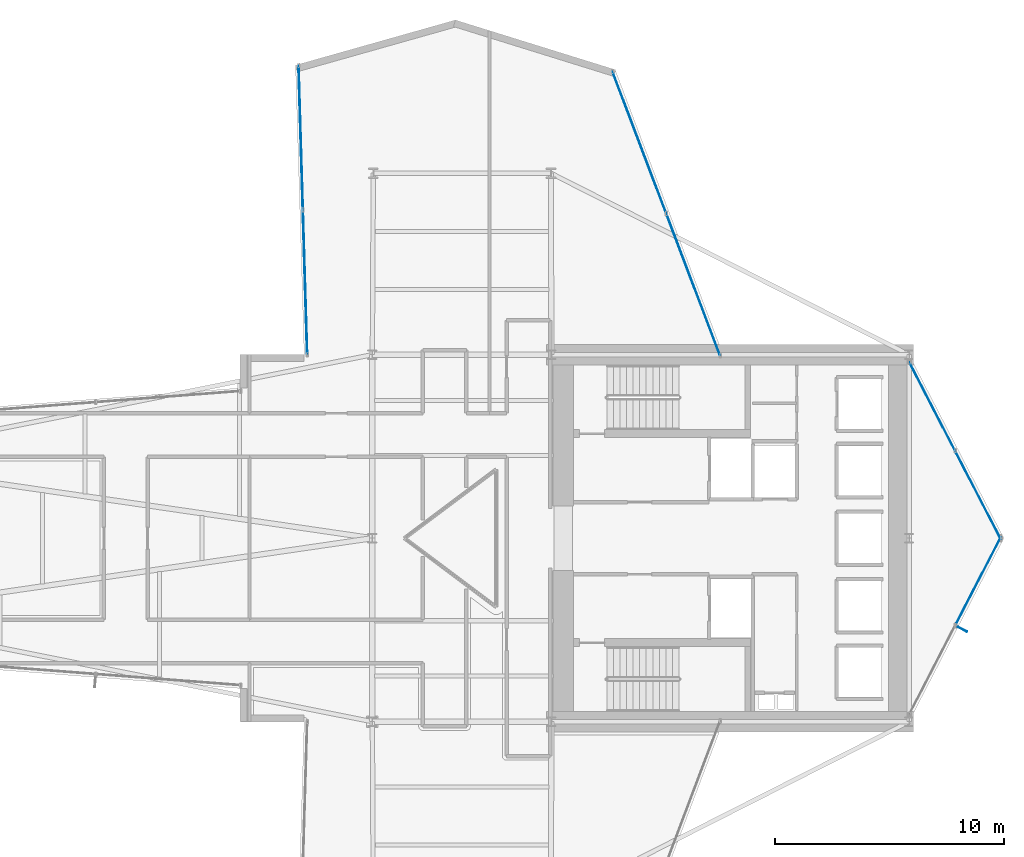
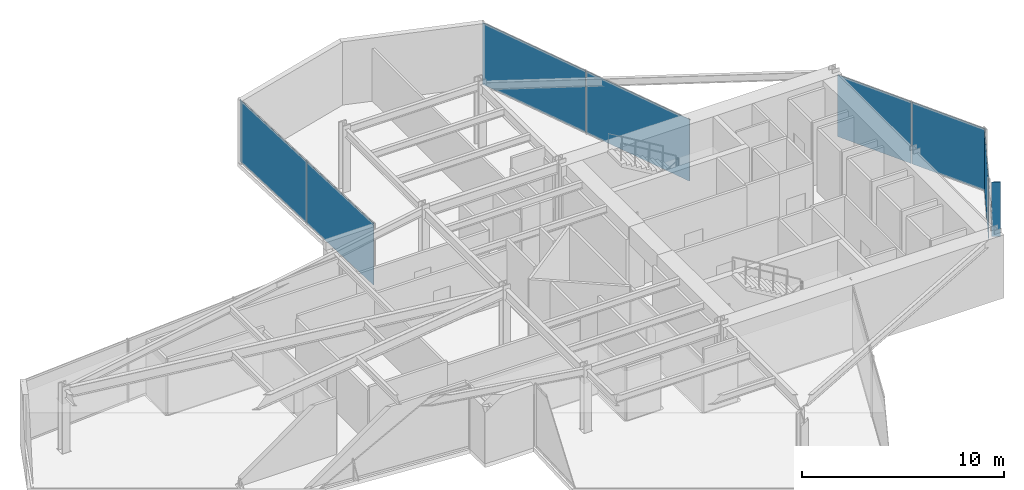
# One storey, part 25 of 30: 8 plates, 4 elements without a shape of their own.
"""IFC4 building model written with IfcOpenShell, lengths in metres."""

from ifc_helpers import new_model, si_unit, direction, frame, origin, origin_2d, place, context, subcontext, project, spatial, rectangle, extrude, material, layer, layer_set, type_object, element, aggregate, save


model = new_model("IFC4")

# Units and contexts
model_context = context("Model", 3, precision=1e-05, world=origin(), true_north=direction((0.0, 1.0)))
body_context = subcontext(model_context, "Body", "Model", "MODEL_VIEW")
ifc_project = project(units=[si_unit("LENGTHUNIT", "METRE"), si_unit("AREAUNIT", "SQUARE_METRE"), si_unit("VOLUMEUNIT", "CUBIC_METRE"), si_unit("PLANEANGLEUNIT", "RADIAN"), si_unit("MASSUNIT", "GRAM", prefix="KILO")], contexts=[model_context])

# Site, building, storey
site_placement = place(None, origin())
site = spatial("IfcSite", under=ifc_project, at=site_placement, CompositionType="ELEMENT")
building_placement = place(site_placement, origin())
building = spatial("IfcBuilding", under=site, at=building_placement, Name="Veymaron Broadcast Tower", CompositionType="ELEMENT")
storey_placement = place(building_placement, frame((0.0, 0.0, 37.800048828125)))
storey = spatial("IfcBuildingStorey", under=building, at=storey_placement, Name="L07", CompositionType="ELEMENT", Elevation=37.800048828125)

# Curtain wall, plate
ifc_material_1 = material(Name="Anodised aluminium AA 6063-T6 and laminated low-E dark glass", Category="aluminium")
ifc_layer_1 = layer(ifc_material_1, 0.179931640625)
ifc_layer_set_1 = layer_set([ifc_layer_1], Name="Anodised aluminium AA 6063-T6 and laminated low-E dark glass")
curtain_wall_type = type_object("IfcCurtainWallType", Name="CW-SYS-02", PredefinedType="NOTDEFINED", material=ifc_layer_set_1)
curtain_wall_1_placement = place(storey_placement, origin())
curtain_wall_1 = element("IfcCurtainWall", 1, at=curtain_wall_1_placement, inside=storey, type_object=curtain_wall_type, Name="L07 dark-glass curtain wall CW-L07-E2-1", PredefinedType="NOTDEFINED")
ifc_material_2 = material(Name="Double-silver solar-control dark glass IGU 32 mm", Category="glass")
ifc_layer_2 = layer(ifc_material_2, 0.031982421875)
ifc_layer_set_2 = layer_set([ifc_layer_2], Name="Double-silver solar-control dark glass IGU 32 mm")
plate_type_1 = type_object("IfcPlateType", Name="CW-PNL-02", PredefinedType="CURTAIN_PANEL", material=ifc_layer_set_2)
plate_1_placement = place(storey_placement, frame((57.611328125, 22.128173828125, 0.0400390625), z_axis=(0.0, 0.0, 1.0), x_axis=(0.459331828221, 0.88826475309, 0.0)))
plate_1 = element("IfcPlate", 2, at=plate_1_placement, type_object=plate_type_1, Name="CW-L07-E2-1 unitised curtain panel 1", PredefinedType="CURTAIN_PANEL", context=body_context, shape_type="SweptSolid", body=[
    extrude(rectangle(XDim=4.299560546875, YDim=0.031982421875, at=origin_2d()), origin(), (0.0, 0.0, 1.0), 3.72998046875),
])
aggregate(curtain_wall_1, [plate_1])

# Curtain wall, plates
curtain_wall_2_placement = place(storey_placement, origin())
curtain_wall_2 = element("IfcCurtainWall", 3, at=curtain_wall_2_placement, inside=storey, type_object=curtain_wall_type, Name="L07 dark-glass curtain wall CW-L07-E3-1", PredefinedType="NOTDEFINED")
plate_2_placement = place(storey_placement, frame((57.611328125, 25.871826171875, 0.0400390625), z_axis=(0.0, 0.0, 1.0), x_axis=(-0.459331828221, 0.88826475309, 0.0)))
plate_2 = element("IfcPlate", 4, at=plate_2_placement, type_object=plate_type_1, Name="CW-L07-E3-1 unitised curtain panel 0", PredefinedType="CURTAIN_PANEL", context=body_context, shape_type="SweptSolid", body=[
    extrude(rectangle(XDim=4.299560546875, YDim=0.031982421875, at=origin_2d()), origin(), (0.0, 0.0, 1.0), 3.72998046875),
])
plate_3_placement = place(storey_placement, frame((55.60888671875, 29.744384765625, 0.0400390625), z_axis=(0.0, 0.0, 1.0), x_axis=(-0.459331828221, 0.88826475309, 0.0)))
plate_3 = element("IfcPlate", 5, at=plate_3_placement, type_object=plate_type_1, Name="CW-L07-E3-1 unitised curtain panel 1", PredefinedType="CURTAIN_PANEL", context=body_context, shape_type="SweptSolid", body=[
    extrude(rectangle(XDim=4.299560546875, YDim=0.031982421875, at=origin_2d()), origin(), (0.0, 0.0, 1.0), 3.72998046875),
])
aggregate(curtain_wall_2, [plate_2, plate_3])

curtain_wall_3_placement = place(storey_placement, origin())
curtain_wall_3 = element("IfcCurtainWall", 6, at=curtain_wall_3_placement, inside=storey, type_object=curtain_wall_type, Name="L07 dark-glass curtain wall CW-L07-E5-1", PredefinedType="NOTDEFINED")
plate_4_placement = place(storey_placement, frame((45.1904296875, 35.053955078125, 0.0400390625), z_axis=(0.0, 0.0, 1.0), x_axis=(-0.354225752381, 0.935159941588, 0.0)))
plate_4 = element("IfcPlate", 7, at=plate_4_placement, type_object=plate_type_1, Name="CW-L07-E5-1 unitised curtain panel 0", PredefinedType="CURTAIN_PANEL", context=body_context, shape_type="SweptSolid", body=[
    extrude(rectangle(XDim=6.577392578125, YDim=0.031982421875, at=origin_2d()), origin(), (0.0, 0.0, 1.0), 3.72998046875),
])
plate_5_placement = place(storey_placement, frame((42.83935546875, 41.260986328125, 0.0400390625), z_axis=(0.0, 0.0, 1.0), x_axis=(-0.354225752381, 0.935159941588, 0.0)))
plate_5 = element("IfcPlate", 8, at=plate_5_placement, type_object=plate_type_1, Name="CW-L07-E5-1 unitised curtain panel 1", PredefinedType="CURTAIN_PANEL", context=body_context, shape_type="SweptSolid", body=[
    extrude(rectangle(XDim=6.577392578125, YDim=0.031982421875, at=origin_2d()), origin(), (0.0, 0.0, 1.0), 3.72998046875),
])
aggregate(curtain_wall_3, [plate_4, plate_5])

curtain_wall_4_placement = place(storey_placement, origin())
curtain_wall_4 = element("IfcCurtainWall", 9, at=curtain_wall_4_placement, inside=storey, type_object=curtain_wall_type, Name="L07 dark-glass curtain wall CW-L07-E8-1", PredefinedType="NOTDEFINED")
plate_6_placement = place(storey_placement, frame((28.081298828125, 41.46240234375, 0.0400390625), z_axis=(0.0, 0.0, 1.0), x_axis=(0.029858145254, -0.999554146188, 0.0)))
plate_6 = element("IfcPlate", 10, at=plate_6_placement, type_object=plate_type_1, Name="CW-L07-E8-1 unitised curtain panel 0", PredefinedType="CURTAIN_PANEL", context=body_context, shape_type="SweptSolid", body=[
    extrude(rectangle(XDim=6.248291015625, YDim=0.031982421875, at=origin_2d()), origin(), (0.0, 0.0, 1.0), 3.72998046875),
])
plate_7_placement = place(storey_placement, frame((28.269775390625, 35.156982421875, 0.0400390625), z_axis=(0.0, 0.0, 1.0), x_axis=(0.029858145254, -0.999554146188, 0.0)))
plate_7 = element("IfcPlate", 11, at=plate_7_placement, type_object=plate_type_1, Name="CW-L07-E8-1 unitised curtain panel 1", PredefinedType="CURTAIN_PANEL", context=body_context, shape_type="SweptSolid", body=[
    extrude(rectangle(XDim=6.248291015625, YDim=0.031982421875, at=origin_2d()), origin(), (0.0, 0.0, 1.0), 3.72998046875),
])
aggregate(curtain_wall_4, [plate_6, plate_7])

# Plate
ifc_material_3 = material(Name="Dark-anodised aluminium AA 6061-T6", Category="aluminium")
ifc_layer_3 = layer(ifc_material_3, 0.034912109375)
ifc_layer_set_3 = layer_set([ifc_layer_3], Name="Dark-anodised aluminium AA 6061-T6")
plate_type_2 = type_object("IfcPlateType", Name="FIN-CHEV-01", PredefinedType="USERDEFINED", material=ifc_layer_set_3)
plate_8_placement = place(storey_placement, frame((56.92529296875, 20.02880859375, 0.2666015625), z_axis=(0.0, 0.0, 1.0), x_axis=(0.88826475309, -0.459331828221, 0.0)))
element("IfcPlate", 12, at=plate_8_placement, inside=storey, type_object=plate_type_2, Name="CW-L07-E2-1 chevron fin 1", ObjectType="FIN", PredefinedType="USERDEFINED", context=body_context, shape_type="SweptSolid", body=[
    extrude(rectangle(XDim=0.449951171875, YDim=0.034912109375, at=origin_2d()), origin(), (0.0, 0.0, 1.0), 3.276611328125),
])

save(model, "model.ifc")
